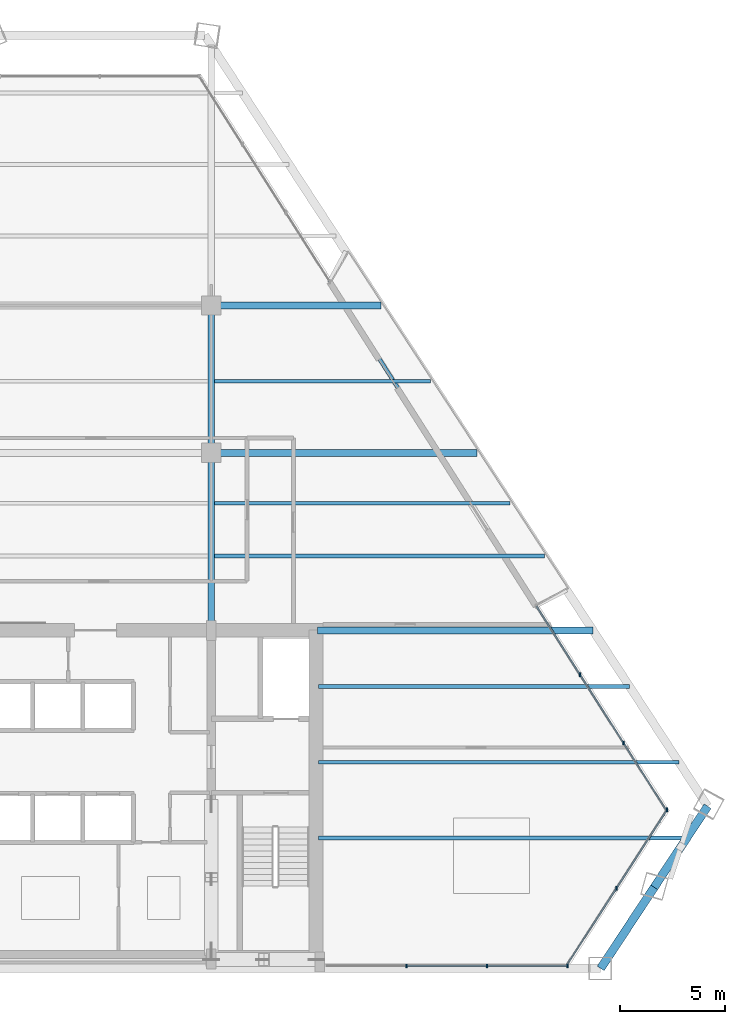
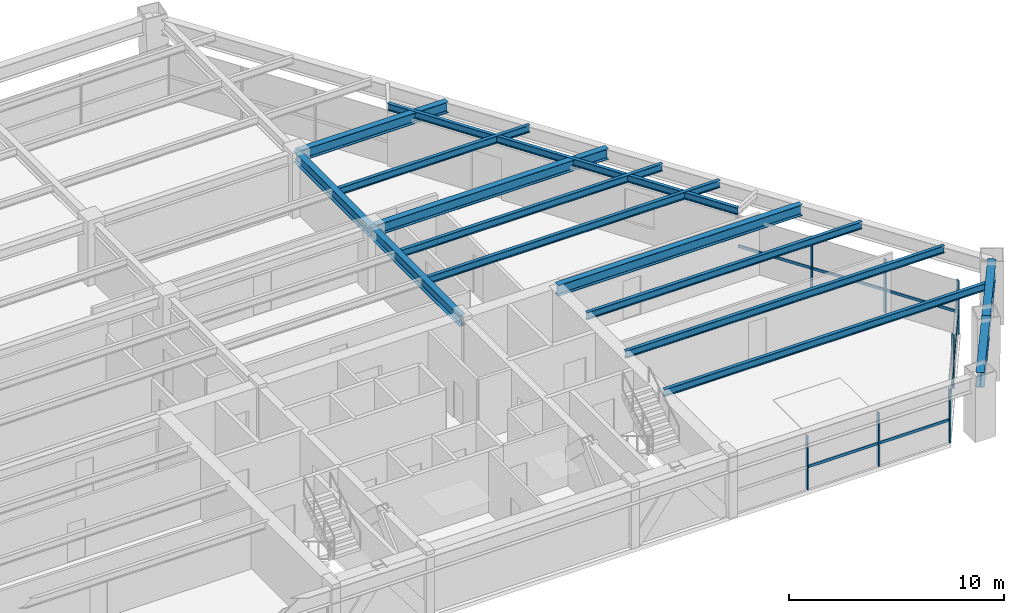
# One storey, part 6 of 15: 14 beams, 14 members, 3 elements without a shape of their own.
"""IFC4 building model written with IfcOpenShell, lengths in metres."""

from ifc_helpers import new_model, si_unit, direction, frame, origin, origin_2d, place, context, subcontext, project, spatial, rectangle, i_section, extrude, source, transform, mapped, material, material_profile, profile_set, type_object, type_shapes, element, aggregate, save


model = new_model("IFC4")

# Units and contexts
model_context = context("Model", 3, precision=1e-05, world=origin(), true_north=direction((0.0, 1.0)))
body_context = subcontext(model_context, "Body", "Model", "MODEL_VIEW")
ifc_project = project(units=[si_unit("LENGTHUNIT", "METRE"), si_unit("AREAUNIT", "SQUARE_METRE"), si_unit("VOLUMEUNIT", "CUBIC_METRE"), si_unit("PLANEANGLEUNIT", "RADIAN"), si_unit("MASSUNIT", "GRAM", prefix="KILO")], contexts=[model_context])

# Site, building, storey
site_placement = place(None, origin())
site = spatial("IfcSite", under=ifc_project, at=site_placement, CompositionType="ELEMENT")
building_placement = place(site_placement, origin())
building = spatial("IfcBuilding", under=site, at=building_placement, Name="Varnakhor Terracotta Tower", CompositionType="ELEMENT")
storey_placement = place(building_placement, frame((0.0, 0.0, 147.800048828125)))
storey = spatial("IfcBuildingStorey", under=building, at=storey_placement, Name="L37", CompositionType="ELEMENT", Elevation=147.800048828125)

# Beams
ifc_material_1 = material(Name="Steel S355", Category="steel")
ifc_material_profile_1 = material_profile(ifc_material_1, i_section(OverallWidth=0.324951171875, OverallDepth=0.615966796875, WebThickness=0.013916015625, FlangeThickness=0.02197265625, FilletRadius=0.01806640625, at=origin_2d()), Name="W24X117")
ifc_profile_set_1 = profile_set([ifc_material_profile_1], Name="Steel S355")
beam_type_1 = type_object("IfcBeamType", Name="BM-W24X117", PredefinedType="BEAM", material=ifc_profile_set_1)
shared_shape_1 = source(origin(), body_context, "Body", "SweptSolid", [
    extrude(i_section(OverallWidth=0.324951171875, OverallDepth=0.615966796875, WebThickness=0.013916015625, FlangeThickness=0.02197265625, FilletRadius=0.01806640625, at=origin_2d()), origin(), (0.0, 0.0, 1.0), 8.449951171875),
])
type_shapes(beam_type_1, [shared_shape_1])
beam_1_placement = place(storey_placement, frame((5.5, 16.050048828125, 3.161865234375), z_axis=(0.0, 1.0, 0.0), x_axis=(-1.0, 0.0, 0.0)))
element("IfcBeam", 1, at=beam_1_placement, inside=storey, type_object=beam_type_1, Name="L37 Primary Girder NS1-E", PredefinedType="BEAM", context=body_context, shape_type="MappedRepresentation", body=[
    mapped(shared_shape_1, transform((0.0, 0.0, 0.0), scale=1.0)),
])
shared_shape_2 = source(origin(), body_context, "Body", "SweptSolid", [
    extrude(i_section(OverallWidth=0.324951171875, OverallDepth=0.615966796875, WebThickness=0.013916015625, FlangeThickness=0.02197265625, FilletRadius=0.01806640625, at=origin_2d()), origin(), (0.0, 0.0, 1.0), 7.0),
])
beam_2_placement = place(storey_placement, frame((5.5, 24.5, 3.161865234375), z_axis=(0.0, 1.0, 0.0), x_axis=(-1.0, 0.0, 0.0)))
element("IfcBeam", 2, at=beam_2_placement, inside=storey, type_object=beam_type_1, Name="L37 Primary Girder NS2-E", PredefinedType="BEAM", context=body_context, shape_type="MappedRepresentation", body=[
    mapped(shared_shape_2, transform((0.0, 0.0, 0.0), scale=1.0)),
])
ifc_material_profile_2 = material_profile(ifc_material_1, i_section(OverallWidth=0.39990234375, OverallDepth=0.85498046875, WebThickness=0.01806640625, FlangeThickness=0.029052734375, FilletRadius=0.01806640625, at=origin_2d()), Name="W33X201")
ifc_profile_set_2 = profile_set([ifc_material_profile_2], Name="Steel S355")
beam_type_2 = type_object("IfcBeamType", Name="BM-W33X201", PredefinedType="BEAM", material=ifc_profile_set_2)
shared_shape_3 = source(origin(), body_context, "Body", "SweptSolid", [
    extrude(i_section(OverallWidth=0.39990234375, OverallDepth=0.85498046875, WebThickness=0.01806640625, FlangeThickness=0.029052734375, FilletRadius=0.01806640625, at=origin_2d()), origin(), (0.0, 0.0, 1.0), 4.615966796875),
])
for number, where, z_axis, x_axis, name in (
    (3, (24.00634765625, 0.0, 3.04248046875), (0.550433193733, 0.834879212364, 0.0), (-0.834879212364, 0.550433193733, 0.0), "L37 Perimeter Spandrel 2"),
    (4, (26.547119140625, 3.853759765625, 3.04248046875), (0.550433193733, 0.834879212364, 0.0), (-0.834879212364, 0.550433193733, 0.0), "L37 Perimeter Spandrel 3"),
):
    element("IfcBeam", number, at=place(storey_placement, frame(where, z_axis=z_axis, x_axis=x_axis)), inside=storey, type_object=beam_type_2, Name=name, PredefinedType="BEAM", context=body_context, shape_type="MappedRepresentation", body=[
        mapped(shared_shape_3, transform((0.0, 0.0, 0.0), scale=1.0)),
    ])
ifc_material_profile_3 = material_profile(ifc_material_1, i_section(OverallWidth=0.179931640625, OverallDepth=0.39990234375, WebThickness=0.008544921875, FlangeThickness=0.013427734375, FilletRadius=0.01806640625, at=origin_2d()), Name="IPE400")
ifc_profile_set_3 = profile_set([ifc_material_profile_3], Name="Steel S355")
beam_type_3 = type_object("IfcBeamType", Name="JST-IPE400", PredefinedType="JOIST", material=ifc_profile_set_3)
shared_shape_4 = source(origin(), body_context, "Body", "SweptSolid", [
    extrude(i_section(OverallWidth=0.179931640625, OverallDepth=0.39990234375, WebThickness=0.008544921875, FlangeThickness=0.013427734375, FilletRadius=0.01806640625, at=origin_2d()), origin(), (0.0, 0.0, 1.0), 18.320068359375),
])
beam_3_placement = place(storey_placement, frame((20.956298828125, 17.225341796875, 3.27001953125), z_axis=(-0.536776323973, 0.843724586593, 0.0), x_axis=(-0.843724586593, -0.536776323973, 0.0)))
element("IfcBeam", 5, at=beam_3_placement, inside=storey, type_object=beam_type_3, Name="L37 Loggia Edge Beam 1", PredefinedType="JOIST", context=body_context, shape_type="MappedRepresentation", body=[
    mapped(shared_shape_4, transform((0.0, 0.0, 0.0), scale=1.0)),
])
shared_shape_5 = source(origin(), body_context, "Body", "SweptSolid", [
    extrude(i_section(OverallWidth=0.324951171875, OverallDepth=0.615966796875, WebThickness=0.013916015625, FlangeThickness=0.02197265625, FilletRadius=0.01806640625, at=origin_2d()), origin(), (0.0, 0.0, 1.0), 13.09716796875),
])
beam_4_placement = place(storey_placement, frame((10.550048828125, 16.050048828125, 3.161865234375), z_axis=(1.0, 0.0, 0.0), x_axis=(0.0, 1.0, 0.0)))
element("IfcBeam", 6, at=beam_4_placement, inside=storey, type_object=beam_type_1, Name="L37 Wing Girder E", PredefinedType="BEAM", context=body_context, shape_type="MappedRepresentation", body=[
    mapped(shared_shape_5, transform((0.0, 0.0, 0.0), scale=1.0)),
])
shared_shape_6 = source(origin(), body_context, "Body", "SweptSolid", [
    extrude(i_section(OverallWidth=0.324951171875, OverallDepth=0.615966796875, WebThickness=0.013916015625, FlangeThickness=0.02197265625, FilletRadius=0.01806640625, at=origin_2d()), origin(), (0.0, 0.0, 1.0), 12.63623046875),
])
beam_5_placement = place(storey_placement, frame((5.5, 24.5, 3.161865234375), z_axis=(1.0, 0.0, 0.0), x_axis=(0.0, 1.0, 0.0)))
element("IfcBeam", 7, at=beam_5_placement, inside=storey, type_object=beam_type_1, Name="L37 Primary Girder EW2-3", PredefinedType="BEAM", context=body_context, shape_type="MappedRepresentation", body=[
    mapped(shared_shape_6, transform((0.0, 0.0, 0.0), scale=1.0)),
])
shared_shape_7 = source(origin(), body_context, "Body", "SweptSolid", [
    extrude(i_section(OverallWidth=0.324951171875, OverallDepth=0.615966796875, WebThickness=0.013916015625, FlangeThickness=0.02197265625, FilletRadius=0.01806640625, at=origin_2d()), origin(), (0.0, 0.0, 1.0), 8.07080078125),
])
beam_6_placement = place(storey_placement, frame((5.5, 31.5, 3.161865234375), z_axis=(1.0, 0.0, 0.0), x_axis=(0.0, 1.0, 0.0)))
element("IfcBeam", 8, at=beam_6_placement, inside=storey, type_object=beam_type_1, Name="L37 Primary Girder EW3-3", PredefinedType="BEAM", context=body_context, shape_type="MappedRepresentation", body=[
    mapped(shared_shape_7, transform((0.0, 0.0, 0.0), scale=1.0)),
])
ifc_material_profile_4 = material_profile(ifc_material_1, i_section(OverallWidth=0.179931640625, OverallDepth=0.4130859375, WebThickness=0.009765625, FlangeThickness=0.01611328125, FilletRadius=0.01806640625, at=origin_2d()), Name="W16X50")
ifc_profile_set_4 = profile_set([ifc_material_profile_4], Name="Steel S355")
beam_type_4 = type_object("IfcBeamType", Name="JST-W16X50", PredefinedType="JOIST", material=ifc_profile_set_4)
shared_shape_8 = source(origin(), body_context, "Body", "SweptSolid", [
    extrude(i_section(OverallWidth=0.179931640625, OverallDepth=0.4130859375, WebThickness=0.009765625, FlangeThickness=0.01611328125, FilletRadius=0.01806640625, at=origin_2d()), origin(), (0.0, 0.0, 1.0), 17.493896484375),
])
beam_7_placement = place(storey_placement, frame((10.60009765625, 6.199951171875, 3.263427734375), z_axis=(1.0, 0.0, 0.0), x_axis=(0.0, 1.0, 0.0)))
element("IfcBeam", 9, at=beam_7_placement, inside=storey, type_object=beam_type_4, Name="L37 Floor Joist E1", PredefinedType="JOIST", context=body_context, shape_type="MappedRepresentation", body=[
    mapped(shared_shape_8, transform((0.0, 0.0, 0.0), scale=1.0)),
])
shared_shape_9 = source(origin(), body_context, "Body", "SweptSolid", [
    extrude(i_section(OverallWidth=0.179931640625, OverallDepth=0.4130859375, WebThickness=0.009765625, FlangeThickness=0.01611328125, FilletRadius=0.01806640625, at=origin_2d()), origin(), (0.0, 0.0, 1.0), 17.123291015625),
])
beam_8_placement = place(storey_placement, frame((10.60009765625, 9.800048828125, 3.263427734375), z_axis=(1.0, 0.0, 0.0), x_axis=(0.0, 1.0, 0.0)))
element("IfcBeam", 10, at=beam_8_placement, inside=storey, type_object=beam_type_4, Name="L37 Floor Joist E2", PredefinedType="JOIST", context=body_context, shape_type="MappedRepresentation", body=[
    mapped(shared_shape_9, transform((0.0, 0.0, 0.0), scale=1.0)),
])
shared_shape_10 = source(origin(), body_context, "Body", "SweptSolid", [
    extrude(i_section(OverallWidth=0.179931640625, OverallDepth=0.4130859375, WebThickness=0.009765625, FlangeThickness=0.01611328125, FilletRadius=0.01806640625, at=origin_2d()), origin(), (0.0, 0.0, 1.0), 14.775390625),
])
beam_9_placement = place(storey_placement, frame((10.60009765625, 13.39990234375, 3.263427734375), z_axis=(1.0, 0.0, 0.0), x_axis=(0.0, 1.0, 0.0)))
element("IfcBeam", 11, at=beam_9_placement, inside=storey, type_object=beam_type_4, Name="L37 Floor Joist E3", PredefinedType="JOIST", context=body_context, shape_type="MappedRepresentation", body=[
    mapped(shared_shape_10, transform((0.0, 0.0, 0.0), scale=1.0)),
])
shared_shape_11 = source(origin(), body_context, "Body", "SweptSolid", [
    extrude(i_section(OverallWidth=0.179931640625, OverallDepth=0.4130859375, WebThickness=0.009765625, FlangeThickness=0.01611328125, FilletRadius=0.01806640625, at=origin_2d()), origin(), (0.0, 0.0, 1.0), 15.67333984375),
])
beam_10_placement = place(storey_placement, frame((5.658447265625, 19.60009765625, 3.263427734375), z_axis=(1.0, 0.0, 0.0), x_axis=(0.0, 1.0, 0.0)))
element("IfcBeam", 12, at=beam_10_placement, inside=storey, type_object=beam_type_4, Name="L37 Composite Floor Joist 4-3", PredefinedType="JOIST", context=body_context, shape_type="MappedRepresentation", body=[
    mapped(shared_shape_11, transform((0.0, 0.0, 0.0), scale=1.0)),
])
shared_shape_12 = source(origin(), body_context, "Body", "SweptSolid", [
    extrude(i_section(OverallWidth=0.179931640625, OverallDepth=0.4130859375, WebThickness=0.009765625, FlangeThickness=0.01611328125, FilletRadius=0.01806640625, at=origin_2d()), origin(), (0.0, 0.0, 1.0), 14.04296875),
])
beam_11_placement = place(storey_placement, frame((5.658447265625, 22.10009765625, 3.263427734375), z_axis=(1.0, 0.0, 0.0), x_axis=(0.0, 1.0, 0.0)))
element("IfcBeam", 13, at=beam_11_placement, inside=storey, type_object=beam_type_4, Name="L37 Composite Floor Joist 5-3", PredefinedType="JOIST", context=body_context, shape_type="MappedRepresentation", body=[
    mapped(shared_shape_12, transform((0.0, 0.0, 0.0), scale=1.0)),
])
shared_shape_13 = source(origin(), body_context, "Body", "SweptSolid", [
    extrude(i_section(OverallWidth=0.179931640625, OverallDepth=0.4130859375, WebThickness=0.009765625, FlangeThickness=0.01611328125, FilletRadius=0.01806640625, at=origin_2d()), origin(), (0.0, 0.0, 1.0), 10.26025390625),
])
beam_12_placement = place(storey_placement, frame((5.658447265625, 27.89990234375, 3.263427734375), z_axis=(1.0, 0.0, 0.0), x_axis=(0.0, 1.0, 0.0)))
element("IfcBeam", 14, at=beam_12_placement, inside=storey, type_object=beam_type_4, Name="L37 Composite Floor Joist 6-3", PredefinedType="JOIST", context=body_context, shape_type="MappedRepresentation", body=[
    mapped(shared_shape_13, transform((0.0, 0.0, 0.0), scale=1.0)),
])

# Curtain wall, members
ifc_material_2 = material(Name="Anodised Aluminium Curtain Wall System", Category="aluminium")
curtain_wall_type = type_object("IfcCurtainWallType", Name="CW-SYS-MID-OFFICE", PredefinedType="NOTDEFINED", material=ifc_material_2)
curtain_wall_1_placement = place(storey_placement, origin())
curtain_wall_1 = element("IfcCurtainWall", 15, at=curtain_wall_1_placement, inside=storey, type_object=curtain_wall_type, Name="L37 E Facet Curtain Wall 2", PredefinedType="NOTDEFINED")
ifc_material_3 = material(Name="Anodised Aluminium 6063-T6", Category="aluminium")
ifc_material_profile_5 = material_profile(ifc_material_3, rectangle(XDim=0.070068359375, YDim=0.175048828125, at=origin_2d()), Name="ALU MULLION 70x175")
ifc_profile_set_5 = profile_set([ifc_material_profile_5], Name="Anodised Aluminium 6063-T6")
member_type_1 = type_object("IfcMemberType", Name="CWM-03", PredefinedType="MULLION", material=ifc_profile_set_5)
shared_shape_14 = source(origin(), body_context, "Body", "SweptSolid", [
    extrude(rectangle(XDim=0.070068359375, YDim=0.175048828125, at=origin_2d()), origin(), (0.0, 0.0, 1.0), 3.050048828125),
])
member_1_placement = place(storey_placement, frame((23.0244140625, 13.958740234375, 0.0), z_axis=(0.0, 0.0, 1.0), x_axis=(1.0, 0.0, 0.0)))
member_1 = element("IfcMember", 16, at=member_1_placement, type_object=member_type_1, Name="L37 E Facet Curtain Wall 2 Mullion 2", PredefinedType="MULLION", context=body_context, shape_type="MappedRepresentation", body=[
    mapped(shared_shape_14, transform((0.0, 0.0, 0.0), scale=1.0)),
])
member_2_placement = place(storey_placement, frame((25.09326171875, 10.70849609375, 0.0), z_axis=(0.0, 0.0, 1.0), x_axis=(1.0, 0.0, 0.0)))
member_2 = element("IfcMember", 17, at=member_2_placement, type_object=member_type_1, Name="L37 E Facet Curtain Wall 2 Mullion 3", PredefinedType="MULLION", context=body_context, shape_type="MappedRepresentation", body=[
    mapped(shared_shape_14, transform((0.0, 0.0, 0.0), scale=1.0)),
])

curtain_wall_2_placement = place(storey_placement, origin())
curtain_wall_2 = element("IfcCurtainWall", 18, at=curtain_wall_2_placement, inside=storey, type_object=curtain_wall_type, Name="L37 Facet Curtain Wall 4", PredefinedType="NOTDEFINED")
member_3_placement = place(storey_placement, frame((27.162353515625, 7.537109375, 0.0), z_axis=(0.0, 0.0, 1.0), x_axis=(1.0, 0.0, 0.0)))
member_3 = element("IfcMember", 19, at=member_3_placement, type_object=member_type_1, Name="L37 Facet Curtain Wall 4 Mullion 1", PredefinedType="MULLION", context=body_context, shape_type="MappedRepresentation", body=[
    mapped(shared_shape_14, transform((0.0, 0.0, 0.0), scale=1.0)),
])
member_4_placement = place(storey_placement, frame((24.757080078125, 3.813720703125, 0.0), z_axis=(0.0, 0.0, 1.0), x_axis=(1.0, 0.0, 0.0)))
member_4 = element("IfcMember", 20, at=member_4_placement, type_object=member_type_1, Name="L37 Facet Curtain Wall 4 Mullion 2", PredefinedType="MULLION", context=body_context, shape_type="MappedRepresentation", body=[
    mapped(shared_shape_14, transform((0.0, 0.0, 0.0), scale=1.0)),
])

curtain_wall_3_placement = place(storey_placement, origin())
curtain_wall_3 = element("IfcCurtainWall", 21, at=curtain_wall_3_placement, inside=storey, type_object=curtain_wall_type, Name="L37 South Wing Curtain Wall SSE", PredefinedType="NOTDEFINED")
member_5_placement = place(storey_placement, frame((22.42626953125, 0.1201171875, 0.0), z_axis=(0.0, 0.0, 1.0), x_axis=(1.0, 0.0, 0.0)))
member_5 = element("IfcMember", 22, at=member_5_placement, type_object=member_type_1, Name="L37 South Wing Curtain Wall SSE Mullion 1", PredefinedType="MULLION", context=body_context, shape_type="MappedRepresentation", body=[
    mapped(shared_shape_14, transform((0.0, 0.0, 0.0), scale=1.0)),
])
member_6_placement = place(storey_placement, frame((18.607421875, 0.1201171875, 0.0), z_axis=(0.0, 0.0, 1.0), x_axis=(1.0, 0.0, 0.0)))
member_6 = element("IfcMember", 23, at=member_6_placement, type_object=member_type_1, Name="L37 South Wing Curtain Wall SSE Mullion 2", PredefinedType="MULLION", context=body_context, shape_type="MappedRepresentation", body=[
    mapped(shared_shape_14, transform((0.0, 0.0, 0.0), scale=1.0)),
])
member_7_placement = place(storey_placement, frame((14.788818359375, 0.1201171875, 0.0), z_axis=(0.0, 0.0, 1.0), x_axis=(1.0, 0.0, 0.0)))
member_7 = element("IfcMember", 24, at=member_7_placement, type_object=member_type_1, Name="L37 South Wing Curtain Wall SSE Mullion 3", PredefinedType="MULLION", context=body_context, shape_type="MappedRepresentation", body=[
    mapped(shared_shape_14, transform((0.0, 0.0, 0.0), scale=1.0)),
])

# Member
ifc_material_profile_6 = material_profile(ifc_material_3, rectangle(XDim=0.070068359375, YDim=0.155029296875, at=origin_2d()), Name="ALU TRANSOM 70x155")
ifc_profile_set_6 = profile_set([ifc_material_profile_6], Name="Anodised Aluminium 6063-T6")
member_type_2 = type_object("IfcMemberType", Name="CWT-03", PredefinedType="USERDEFINED", material=ifc_profile_set_6)
shared_shape_15 = source(origin(), body_context, "Body", "SweptSolid", [
    extrude(rectangle(XDim=0.070068359375, YDim=0.155029296875, at=origin_2d()), origin(), (0.0, 0.0, 1.0), 3.852783203125),
])
member_8_placement = place(storey_placement, frame((20.955810546875, 17.208984375, 1.281005859375), z_axis=(0.536924695368, -0.843630174605, 0.0), x_axis=(0.843630174605, 0.536924695368, 0.0)))
member_8 = element("IfcMember", 25, at=member_8_placement, type_object=member_type_2, Name="L37 E Facet Curtain Wall 2 Transom 1", ObjectType="TRANSOM", PredefinedType="USERDEFINED", context=body_context, shape_type="MappedRepresentation", body=[
    mapped(shared_shape_15, transform((0.0, 0.0, 0.0), scale=1.0)),
])

member_9_placement = place(storey_placement, frame((23.0244140625, 13.958740234375, 1.281005859375), z_axis=(0.536969793465, -0.843601470427, 0.0), x_axis=(0.843601470427, 0.536969793465, 0.0)))
member_9 = element("IfcMember", 26, at=member_9_placement, type_object=member_type_2, Name="L37 E Facet Curtain Wall 2 Transom 2", ObjectType="TRANSOM", PredefinedType="USERDEFINED", context=body_context, shape_type="MappedRepresentation", body=[
    mapped(shared_shape_15, transform((0.0, 0.0, 0.0), scale=1.0)),
])

member_10_placement = place(storey_placement, frame((25.09326171875, 10.70849609375, 1.281005859375), z_axis=(0.536969793465, -0.843601470427, 0.0), x_axis=(0.843601470427, 0.536969793465, 0.0)))
member_10 = element("IfcMember", 27, at=member_10_placement, type_object=member_type_2, Name="L37 E Facet Curtain Wall 2 Transom 3", ObjectType="TRANSOM", PredefinedType="USERDEFINED", context=body_context, shape_type="MappedRepresentation", body=[
    mapped(shared_shape_15, transform((0.0, 0.0, 0.0), scale=1.0)),
])

aggregate(curtain_wall_1, [member_8, member_1, member_9, member_2, member_10])

shared_shape_16 = source(origin(), body_context, "Body", "SweptSolid", [
    extrude(rectangle(XDim=0.070068359375, YDim=0.155029296875, at=origin_2d()), origin(), (0.0, 0.0, 1.0), 4.4326171875),
])
member_11_placement = place(storey_placement, frame((27.162353515625, 7.537109375, 1.281005859375), z_axis=(-0.542618544531, -0.839979234941, 0.0), x_axis=(0.839979234941, -0.542618544531, 0.0)))
member_11 = element("IfcMember", 28, at=member_11_placement, type_object=member_type_2, Name="L37 Facet Curtain Wall 4 Transom 1", ObjectType="TRANSOM", PredefinedType="USERDEFINED", context=body_context, shape_type="MappedRepresentation", body=[
    mapped(shared_shape_16, transform((0.0, 0.0, 0.0), scale=1.0)),
])

member_12_placement = place(storey_placement, frame((24.757080078125, 3.813720703125, 1.281005859375), z_axis=(-0.542618544531, -0.839979234941, 0.0), x_axis=(0.839979234941, -0.542618544531, 0.0)))
member_12 = element("IfcMember", 29, at=member_12_placement, type_object=member_type_2, Name="L37 Facet Curtain Wall 4 Transom 2", ObjectType="TRANSOM", PredefinedType="USERDEFINED", context=body_context, shape_type="MappedRepresentation", body=[
    mapped(shared_shape_16, transform((0.0, 0.0, 0.0), scale=1.0)),
])

aggregate(curtain_wall_2, [member_3, member_11, member_4, member_12])

shared_shape_17 = source(origin(), body_context, "Body", "SweptSolid", [
    extrude(rectangle(XDim=0.070068359375, YDim=0.155029296875, at=origin_2d()), origin(), (0.0, 0.0, 1.0), 3.81884765625),
])
member_13_placement = place(storey_placement, frame((22.42626953125, 0.1201171875, 1.281005859375), z_axis=(-1.0, 0.0, 0.0), x_axis=(0.0, -1.0, 0.0)))
member_13 = element("IfcMember", 30, at=member_13_placement, type_object=member_type_2, Name="L37 South Wing Curtain Wall SSE Transom 1", ObjectType="TRANSOM", PredefinedType="USERDEFINED", context=body_context, shape_type="MappedRepresentation", body=[
    mapped(shared_shape_17, transform((0.0, 0.0, 0.0), scale=1.0)),
])

shared_shape_18 = source(origin(), body_context, "Body", "SweptSolid", [
    extrude(rectangle(XDim=0.070068359375, YDim=0.155029296875, at=origin_2d()), origin(), (0.0, 0.0, 1.0), 3.818603515625),
])
member_14_placement = place(storey_placement, frame((18.607421875, 0.1201171875, 1.281005859375), z_axis=(-1.0, 0.0, 0.0), x_axis=(0.0, -1.0, 0.0)))
member_14 = element("IfcMember", 31, at=member_14_placement, type_object=member_type_2, Name="L37 South Wing Curtain Wall SSE Transom 2", ObjectType="TRANSOM", PredefinedType="USERDEFINED", context=body_context, shape_type="MappedRepresentation", body=[
    mapped(shared_shape_18, transform((0.0, 0.0, 0.0), scale=1.0)),
])

aggregate(curtain_wall_3, [member_5, member_13, member_6, member_14, member_7])

save(model, "model.ifc")
